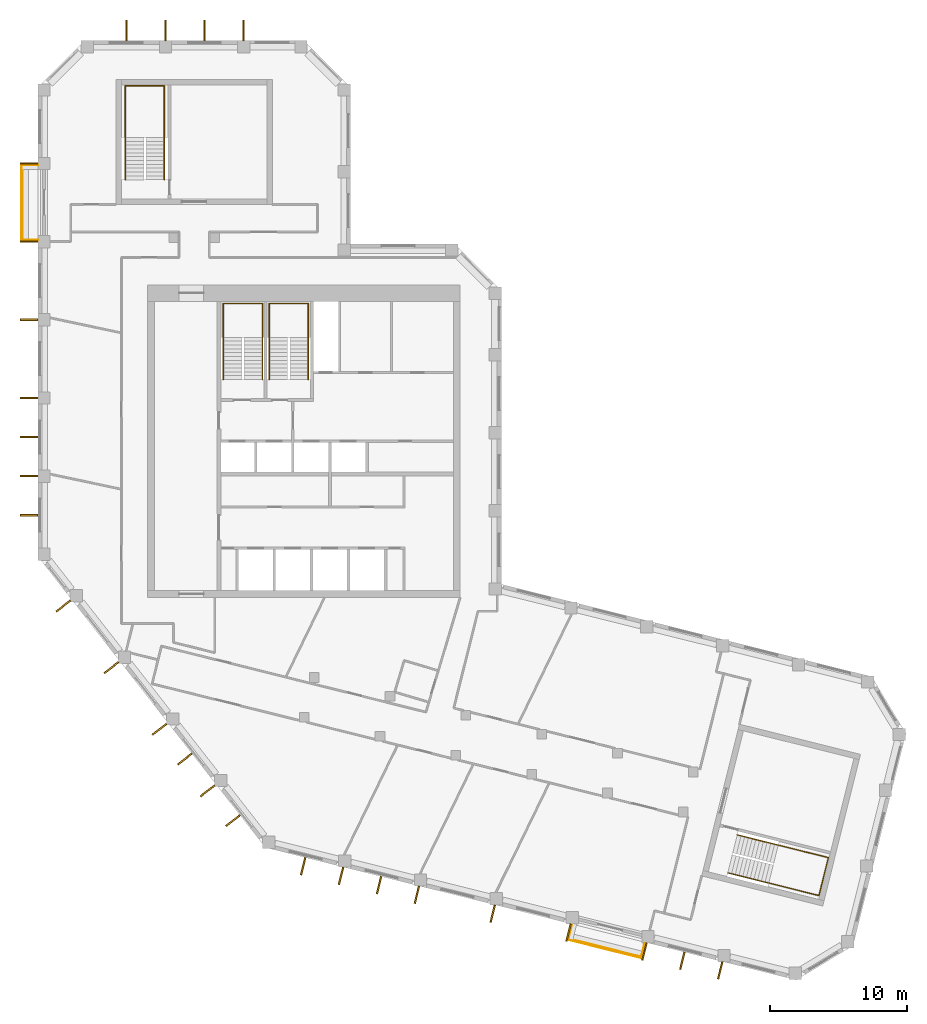
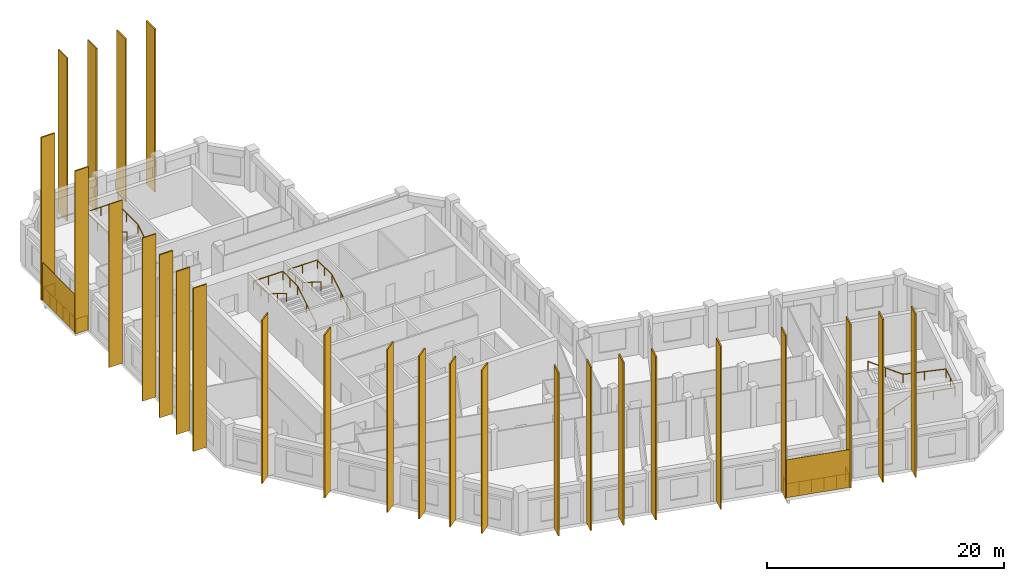
# One storey, part 8 of 8: 28 shading devices, 6 railings.
"""IFC4 building model written with IfcOpenShell, lengths in metres."""

from ifc_helpers import new_model, si_unit, direction, frame, origin, origin_2d, place, context, subcontext, project, spatial, rectangle, circle, extrude, material, layer, layer_set, type_object, element, save


model = new_model("IFC4")

# Units and contexts
model_context = context("Model", 3, precision=1e-05, world=origin(), true_north=direction((0.0, 1.0)))
body_context = subcontext(model_context, "Body", "Model", "MODEL_VIEW")
ifc_project = project(units=[si_unit("LENGTHUNIT", "METRE"), si_unit("AREAUNIT", "SQUARE_METRE"), si_unit("VOLUMEUNIT", "CUBIC_METRE"), si_unit("PLANEANGLEUNIT", "RADIAN"), si_unit("MASSUNIT", "GRAM", prefix="KILO")], contexts=[model_context])

# Site, building, storey
site_placement = place(None, origin())
site = spatial("IfcSite", under=ifc_project, at=site_placement, CompositionType="ELEMENT")
building_placement = place(site_placement, origin())
building = spatial("IfcBuilding", under=site, at=building_placement, Name="Meshkara Civic Tower", CompositionType="ELEMENT")
storey_placement = place(building_placement, frame((0.0, 0.0, 370.800048828125)))
storey = spatial("IfcBuildingStorey", under=building, at=storey_placement, Name="L85", CompositionType="ELEMENT", Elevation=370.800048828125)

# Railings
ifc_material_1 = material(Name="Steel S355", Category="steel")
railing_type_1 = type_object("IfcRailingType", Name="BALUSTRADE GUARD 1400", PredefinedType="BALUSTRADE", material=ifc_material_1)
railing_1_placement = place(storey_placement, frame((0.0, 45.635009765625, 0.0)))
element("IfcRailing", 1, at=railing_1_placement, inside=storey, type_object=railing_type_1, Name="Balcony guard", PredefinedType="BALUSTRADE", context=body_context, shape_type="SweptSolid", body=[
    extrude(circle(Radius=0.02392578125, at=origin_2d()), frame((0.0, 0.0, 1.3759765625), z_axis=(-1.0, 0.0, 0.0), x_axis=(0.0, -1.0, 0.0)), (0.0, 0.0, 1.0), 1.110107421875),
    extrude(circle(Radius=0.02392578125, at=origin_2d()), frame((-1.110107421875, 0.0, 1.3759765625), z_axis=(0.0, -1.0, 0.0), x_axis=(1.0, 0.0, 0.0)), (0.0, 0.0, 1.0), 5.4599609375),
    extrude(circle(Radius=0.02392578125, at=origin_2d()), frame((-1.110107421875, -5.4599609375, 1.3759765625), z_axis=(1.0, 0.0, 0.0), x_axis=(0.0, 1.0, 0.0)), (0.0, 0.0, 1.0), 1.110107421875),
    extrude(circle(Radius=0.02099609375, at=origin_2d()), origin(), (0.0, 0.0, 1.0), 1.351806640625),
    extrude(circle(Radius=0.02099609375, at=origin_2d()), frame((-1.110107421875, 0.0, 0.0)), (0.0, 0.0, 1.0), 1.351806640625),
    extrude(circle(Radius=0.02099609375, at=origin_2d()), frame((-1.110107421875, -1.092041015625, 0.0)), (0.0, 0.0, 1.0), 1.351806640625),
    extrude(circle(Radius=0.02099609375, at=origin_2d()), frame((-1.110107421875, -2.18408203125, 0.0)), (0.0, 0.0, 1.0), 1.351806640625),
    extrude(circle(Radius=0.02099609375, at=origin_2d()), frame((-1.110107421875, -3.27587890625, 0.0)), (0.0, 0.0, 1.0), 1.351806640625),
    extrude(circle(Radius=0.02099609375, at=origin_2d()), frame((-1.110107421875, -4.367919921875, 0.0)), (0.0, 0.0, 1.0), 1.351806640625),
    extrude(circle(Radius=0.02099609375, at=origin_2d()), frame((-1.110107421875, -5.4599609375, 0.0)), (0.0, 0.0, 1.0), 1.351806640625),
    extrude(circle(Radius=0.02099609375, at=origin_2d()), frame((0.0, -5.4599609375, 0.0)), (0.0, 0.0, 1.0), 1.351806640625),
])
railing_2_placement = place(storey_placement, frame((38.958984375, -9.81201171875, 0.0)))
element("IfcRailing", 2, at=railing_2_placement, inside=storey, type_object=railing_type_1, Name="Balcony guard", PredefinedType="BALUSTRADE", context=body_context, shape_type="SweptSolid", body=[
    extrude(circle(Radius=0.02392578125, at=origin_2d()), frame((0.0, 0.0, 1.3759765625), z_axis=(-0.242365897307, -0.970184916303, 0.0), x_axis=(0.970184916303, -0.242365897307, 0.0)), (0.0, 0.0, 1.0), 1.015380859375),
    extrude(circle(Radius=0.02392578125, at=origin_2d()), frame((-0.24609375, -0.985107421875, 1.3759765625), z_axis=(0.970334237753, -0.241767382094, 0.0), x_axis=(0.241767382094, 0.970334237753, 0.0)), (0.0, 0.0, 1.0), 5.458984375),
    extrude(circle(Radius=0.02392578125, at=origin_2d()), frame((5.051025390625, -2.304931640625, 1.3759765625), z_axis=(0.242648904851, 0.970114173164, 0.0), x_axis=(-0.970114173164, 0.242648904851, 0.0)), (0.0, 0.0, 1.0), 1.01416015625),
    extrude(circle(Radius=0.02099609375, at=origin_2d()), origin(), (0.0, 0.0, 1.0), 1.351806640625),
    extrude(circle(Radius=0.02099609375, at=origin_2d()), frame((-0.24609375, -0.985107421875, 0.0)), (0.0, 0.0, 1.0), 1.351806640625),
    extrude(circle(Radius=0.02099609375, at=origin_2d()), frame((0.813232421875, -1.2490234375, 0.0)), (0.0, 0.0, 1.0), 1.351806640625),
    extrude(circle(Radius=0.02099609375, at=origin_2d()), frame((1.872802734375, -1.512939453125, 0.0)), (0.0, 0.0, 1.0), 1.351806640625),
    extrude(circle(Radius=0.02099609375, at=origin_2d()), frame((2.93212890625, -1.777099609375, 0.0)), (0.0, 0.0, 1.0), 1.351806640625),
    extrude(circle(Radius=0.02099609375, at=origin_2d()), frame((3.99169921875, -2.041015625, 0.0)), (0.0, 0.0, 1.0), 1.351806640625),
    extrude(circle(Radius=0.02099609375, at=origin_2d()), frame((5.051025390625, -2.304931640625, 0.0)), (0.0, 0.0, 1.0), 1.351806640625),
    extrude(circle(Radius=0.02099609375, at=origin_2d()), frame((5.297119140625, -1.321044921875, 0.0)), (0.0, 0.0, 1.0), 1.351806640625),
])

# Shading devices
ifc_material_2 = material(Name="Bronze anodised aluminium", Category="aluminium")
ifc_layer_1 = layer(ifc_material_2, 0.1201171875)
ifc_layer_set_1 = layer_set([ifc_layer_1], Name="BRONZE FIN 1300")
shading_device_type_1 = type_object("IfcShadingDeviceType", Name="BRONZE FIN 1300", PredefinedType="USERDEFINED", material=ifc_layer_set_1)
for number, where, z_axis, x_axis, name in (
    (3, (-0.64990234375, 45.7548828125, 0.0), (0.0, 0.0, 1.0), (0.0, -1.0, 0.0), "Fin"),
    (4, (-0.64990234375, 40.054931640625, 0.0), (0.0, 0.0, 1.0), (0.0, -1.0, 0.0), "Fin"),
    (5, (-0.64990234375, 34.35498046875, 0.0), (0.0, 0.0, 1.0), (0.0, -1.0, 0.0), "Fin"),
    (6, (-0.64990234375, 28.655029296875, 0.0), (0.0, 0.0, 1.0), (0.0, -1.0, 0.0), "Fin"),
    (7, (-0.64990234375, 25.804931640625, 0.0), (0.0, 0.0, 1.0), (0.0, -1.0, 0.0), "Fin"),
    (8, (-0.64990234375, 22.955078125, 0.0), (0.0, 0.0, 1.0), (0.0, -1.0, 0.0), "Fin"),
    (9, (-0.64990234375, 20.10498046875, 0.0), (0.0, 0.0, 1.0), (0.0, -1.0, 0.0), "Fin"),
    (10, (1.85205078125, 13.47705078125, 0.0), (0.0, 0.0, 1.0), (0.615661475326, -0.788010753607, 0.0), "Fin"),
    (11, (5.361083984375, 8.985107421875, 0.0), (0.0, 0.0, 1.0), (0.615661475326, -0.788010753607, 0.0), "Fin"),
    (12, (8.87109375, 4.492919921875, 0.0), (0.0, 0.0, 1.0), (0.615661475326, -0.788010753607, 0.0), "Fin"),
    (13, (10.720947265625, 2.322021484375, 0.0), (0.0, 0.0, 1.0), (0.615661475326, -0.788010753607, 0.0), "Fin"),
    (14, (12.3798828125, 0.001953125, 0.0), (0.0, 0.0, 1.0), (0.615661475326, -0.788010753607, 0.0), "Fin"),
    (15, (14.22998046875, -2.1689453125, 0.0), (0.0, 0.0, 1.0), (0.615661475326, -0.788010753607, 0.0), "Fin"),
    (16, (19.35009765625, -5.4951171875, 0.0), (0.0, 0.0, 1.0), (0.970295726276, -0.2419218956, 0.0), "Fin"),
    (17, (22.113037109375, -6.197998046875, 0.0), (0.0, 0.0, 1.0), (0.970295726276, -0.2419218956, 0.0), "Fin"),
    (18, (24.881103515625, -6.8740234375, 0.0), (0.0, 0.0, 1.0), (0.970295726276, -0.2419218956, 0.0), "Fin"),
    (19, (27.64306640625, -7.576904296875, 0.0), (0.0, 0.0, 1.0), (0.970295726276, -0.2419218956, 0.0), "Fin"),
    (20, (33.174072265625, -8.9560546875, 0.0), (0.0, 0.0, 1.0), (0.970295726276, -0.2419218956, 0.0), "Fin"),
    (21, (38.705078125, -10.3349609375, 0.0), (0.0, 0.0, 1.0), (0.970295726276, -0.2419218956, 0.0), "Fin"),
    (22, (44.235107421875, -11.714111328125, 0.0), (0.0, 0.0, 1.0), (0.970295726276, -0.2419218956, 0.0), "Fin"),
    (23, (47.0029296875, -12.389892578125, 0.0), (0.0, 0.0, 1.0), (0.970295726276, -0.2419218956, 0.0), "Fin"),
    (24, (49.76611328125, -13.093017578125, 0.0), (0.0, 0.0, 1.0), (0.970295726276, -0.2419218956, 0.0), "Fin"),
):
    element("IfcShadingDevice", number, at=place(storey_placement, frame(where, z_axis=z_axis, x_axis=x_axis)), inside=storey, type_object=shading_device_type_1, Name=name, ObjectType="FIN", PredefinedType="USERDEFINED", context=body_context, shape_type="SweptSolid", body=[
        extrude(rectangle(XDim=0.1201171875, YDim=1.300048828125, at=origin_2d()), origin(), (0.0, 0.0, 1.0), 16.800048828125),
    ])
ifc_material_3 = material(Name="Bronze anodised aluminium", Category="aluminium")
ifc_layer_2 = layer(ifc_material_3, 0.1201171875)
ifc_layer_set_2 = layer_set([ifc_layer_2], Name="BRONZE FIN 1500")
shading_device_type_2 = type_object("IfcShadingDeviceType", Name="BRONZE FIN 1500", PredefinedType="USERDEFINED", material=ifc_layer_set_2)
for number, where, z_axis, x_axis, name in (
    (25, (15.006103515625, 55.469970703125, 0.0), (0.0, 0.0, 1.0), (-1.0, 0.0, 0.0), "Fin"),
    (26, (12.156005859375, 55.469970703125, 0.0), (0.0, 0.0, 1.0), (-1.0, 0.0, 0.0), "Fin"),
    (27, (9.305908203125, 55.469970703125, 0.0), (0.0, 0.0, 1.0), (-1.0, 0.0, 0.0), "Fin"),
    (28, (6.4560546875, 55.469970703125, 0.0), (0.0, 0.0, 1.0), (-1.0, 0.0, 0.0), "Fin"),
):
    element("IfcShadingDevice", number, at=place(storey_placement, frame(where, z_axis=z_axis, x_axis=x_axis)), inside=storey, type_object=shading_device_type_2, Name=name, ObjectType="FIN", PredefinedType="USERDEFINED", context=body_context, shape_type="SweptSolid", body=[
        extrude(rectangle(XDim=0.1201171875, YDim=1.5, at=origin_2d()), origin(), (0.0, 0.0, 1.0), 16.800048828125),
    ])
ifc_material_4 = material(Name="Perforated bronze anodised aluminium sheet", Category="aluminium")
ifc_layer_3 = layer(ifc_material_4, 0.0400390625)
ifc_layer_set_3 = layer_set([ifc_layer_3], Name="PERFORATED BRONZE SCREEN")
shading_device_type_3 = type_object("IfcShadingDeviceType", Name="PERFORATED BRONZE SCREEN", PredefinedType="USERDEFINED", material=ifc_layer_set_3)
shading_device_1_placement = place(storey_placement, frame((-1.179931640625, 42.905029296875, 0.0), z_axis=(0.0, 0.0, 1.0), x_axis=(0.0, -1.0, 0.0)))
element("IfcShadingDevice", 29, at=shading_device_1_placement, inside=storey, type_object=shading_device_type_3, Name="Balcony screen", ObjectType="SCREEN", PredefinedType="USERDEFINED", context=body_context, shape_type="SweptSolid", body=[
    extrude(rectangle(XDim=5.580078125, YDim=0.0400390625, at=origin_2d()), origin(), (0.0, 0.0, 1.0), 3.89990234375),
])
shading_device_2_placement = place(storey_placement, frame((41.344970703125, -11.52490234375, 0.0), z_axis=(0.0, 0.0, 1.0), x_axis=(0.970295726276, -0.2419218956, 0.0)))
element("IfcShadingDevice", 30, at=shading_device_2_placement, inside=storey, type_object=shading_device_type_3, Name="Balcony screen", ObjectType="SCREEN", PredefinedType="USERDEFINED", context=body_context, shape_type="SweptSolid", body=[
    extrude(rectangle(XDim=5.5791015625, YDim=0.0400390625, at=origin_2d()), origin(), (0.0, 0.0, 1.0), 3.89990234375),
])

# Railings
ifc_material_5 = material(Name="Steel handrail", Category="steel")
railing_type_2 = type_object("IfcRailingType", Name="Stair handrail 900", PredefinedType="HANDRAIL", material=ifc_material_5)
railing_3_placement = place(storey_placement, frame((16.375, 30.0, 0.175048828125)))
element("IfcRailing", 31, at=railing_3_placement, inside=storey, type_object=railing_type_2, Name="L85 ST1 stair handrail 1", PredefinedType="HANDRAIL", context=body_context, shape_type="SweptSolid", body=[
    extrude(circle(Radius=0.02392578125, at=origin_2d()), frame((0.0, 0.0, 0.8759765625), z_axis=(0.0, 0.848028513186, 0.529950602248), x_axis=(-1.0, 0.0, 0.0)), (0.0, 0.0, 1.0), 3.632080078125),
    extrude(circle(Radius=0.02392578125, at=origin_2d()), frame((0.0, 3.080078125, 2.80078125), z_axis=(0.0, 1.0, 0.0), x_axis=(-1.0, 0.0, 0.0)), (0.0, 0.0, 1.0), 2.469970703125),
    extrude(circle(Radius=0.02392578125, at=origin_2d()), frame((0.0, 5.550048828125, 2.80078125), z_axis=(-1.0, 0.0, 0.0), x_axis=(0.0, -1.0, 0.0)), (0.0, 0.0, 1.0), 2.85009765625),
    extrude(circle(Radius=0.02392578125, at=origin_2d()), frame((-2.85009765625, 5.550048828125, 2.80078125), z_axis=(0.0, -0.997498084828, 0.070693498747), x_axis=(1.0, 0.0, 0.0)), (0.0, 0.0, 1.0), 2.47607421875),
    extrude(circle(Radius=0.02392578125, at=origin_2d()), frame((-2.85009765625, 3.080078125, 2.9755859375), z_axis=(0.0, -0.847998304005, 0.529998940003), x_axis=(1.0, 0.0, 0.0)), (0.0, 0.0, 1.0), 3.632080078125),
    extrude(circle(Radius=0.02099609375, at=origin_2d()), origin(), (0.0, 0.0, 1.0), 0.851806640625),
    extrude(circle(Radius=0.02099609375, at=origin_2d()), frame((0.0, 1.5400390625, 0.96240234375)), (0.0, 0.0, 1.0), 0.851806640625),
    extrude(circle(Radius=0.02099609375, at=origin_2d()), frame((0.0, 3.080078125, 1.9248046875)), (0.0, 0.0, 1.0), 0.851806640625),
    extrude(circle(Radius=0.02099609375, at=origin_2d()), frame((0.0, 4.31494140625, 1.9248046875)), (0.0, 0.0, 1.0), 0.851806640625),
    extrude(circle(Radius=0.02099609375, at=origin_2d()), frame((0.0, 5.550048828125, 1.9248046875)), (0.0, 0.0, 1.0), 0.851806640625),
    extrude(circle(Radius=0.02099609375, at=origin_2d()), frame((-1.425048828125, 5.550048828125, 1.9248046875)), (0.0, 0.0, 1.0), 0.851806640625),
    extrude(circle(Radius=0.02099609375, at=origin_2d()), frame((-2.85009765625, 5.550048828125, 1.9248046875)), (0.0, 0.0, 1.0), 0.851806640625),
    extrude(circle(Radius=0.02099609375, at=origin_2d()), frame((-2.85009765625, 4.31494140625, 2.01220703125)), (0.0, 0.0, 1.0), 0.851806640625),
    extrude(circle(Radius=0.02099609375, at=origin_2d()), frame((-2.85009765625, 3.080078125, 2.099853515625)), (0.0, 0.0, 1.0), 0.851806640625),
    extrude(circle(Radius=0.02099609375, at=origin_2d()), frame((-2.85009765625, 1.5400390625, 3.0625)), (0.0, 0.0, 1.0), 0.851806640625),
    extrude(circle(Radius=0.02099609375, at=origin_2d()), frame((-2.85009765625, 0.0, 4.02490234375)), (0.0, 0.0, 1.0), 0.851806640625),
])
railing_4_placement = place(storey_placement, frame((19.72509765625, 30.0, 0.175048828125)))
element("IfcRailing", 32, at=railing_4_placement, inside=storey, type_object=railing_type_2, Name="L85 ST2 stair handrail 1", PredefinedType="HANDRAIL", context=body_context, shape_type="SweptSolid", body=[
    extrude(circle(Radius=0.02392578125, at=origin_2d()), frame((0.0, 0.0, 0.8759765625), z_axis=(0.0, 0.848028513186, 0.529950602248), x_axis=(-1.0, 0.0, 0.0)), (0.0, 0.0, 1.0), 3.632080078125),
    extrude(circle(Radius=0.02392578125, at=origin_2d()), frame((0.0, 3.080078125, 2.80078125), z_axis=(0.0, 1.0, 0.0), x_axis=(-1.0, 0.0, 0.0)), (0.0, 0.0, 1.0), 2.469970703125),
    extrude(circle(Radius=0.02392578125, at=origin_2d()), frame((0.0, 5.550048828125, 2.80078125), z_axis=(-1.0, 0.0, 0.0), x_axis=(0.0, -1.0, 0.0)), (0.0, 0.0, 1.0), 2.85009765625),
    extrude(circle(Radius=0.02392578125, at=origin_2d()), frame((-2.85009765625, 5.550048828125, 2.80078125), z_axis=(0.0, -0.997498084828, 0.070693498747), x_axis=(1.0, 0.0, 0.0)), (0.0, 0.0, 1.0), 2.47607421875),
    extrude(circle(Radius=0.02392578125, at=origin_2d()), frame((-2.85009765625, 3.080078125, 2.9755859375), z_axis=(0.0, -0.847998304005, 0.529998940003), x_axis=(1.0, 0.0, 0.0)), (0.0, 0.0, 1.0), 3.632080078125),
    extrude(circle(Radius=0.02099609375, at=origin_2d()), origin(), (0.0, 0.0, 1.0), 0.851806640625),
    extrude(circle(Radius=0.02099609375, at=origin_2d()), frame((0.0, 1.5400390625, 0.96240234375)), (0.0, 0.0, 1.0), 0.851806640625),
    extrude(circle(Radius=0.02099609375, at=origin_2d()), frame((0.0, 3.080078125, 1.9248046875)), (0.0, 0.0, 1.0), 0.851806640625),
    extrude(circle(Radius=0.02099609375, at=origin_2d()), frame((0.0, 4.31494140625, 1.9248046875)), (0.0, 0.0, 1.0), 0.851806640625),
    extrude(circle(Radius=0.02099609375, at=origin_2d()), frame((0.0, 5.550048828125, 1.9248046875)), (0.0, 0.0, 1.0), 0.851806640625),
    extrude(circle(Radius=0.02099609375, at=origin_2d()), frame((-1.425048828125, 5.550048828125, 1.9248046875)), (0.0, 0.0, 1.0), 0.851806640625),
    extrude(circle(Radius=0.02099609375, at=origin_2d()), frame((-2.85009765625, 5.550048828125, 1.9248046875)), (0.0, 0.0, 1.0), 0.851806640625),
    extrude(circle(Radius=0.02099609375, at=origin_2d()), frame((-2.85009765625, 4.31494140625, 2.01220703125)), (0.0, 0.0, 1.0), 0.851806640625),
    extrude(circle(Radius=0.02099609375, at=origin_2d()), frame((-2.85009765625, 3.080078125, 2.099853515625)), (0.0, 0.0, 1.0), 0.851806640625),
    extrude(circle(Radius=0.02099609375, at=origin_2d()), frame((-2.85009765625, 1.5400390625, 3.0625)), (0.0, 0.0, 1.0), 0.851806640625),
    extrude(circle(Radius=0.02099609375, at=origin_2d()), frame((-2.85009765625, 0.0, 4.02490234375)), (0.0, 0.0, 1.0), 0.851806640625),
])
railing_5_placement = place(storey_placement, frame((9.22509765625, 44.570068359375, 0.175048828125)))
element("IfcRailing", 33, at=railing_5_placement, inside=storey, type_object=railing_type_2, Name="L85 ESA6 stair handrail 1", PredefinedType="HANDRAIL", context=body_context, shape_type="SweptSolid", body=[
    extrude(circle(Radius=0.02392578125, at=origin_2d()), frame((0.0, 0.0, 0.8759765625), z_axis=(0.0, 0.848009633417, 0.529980812513), x_axis=(-1.0, 0.0, 0.0)), (0.0, 0.0, 1.0), 3.6318359375),
    extrude(circle(Radius=0.02392578125, at=origin_2d()), frame((0.0, 3.079833984375, 2.80078125), z_axis=(0.0, 1.0, 0.0), x_axis=(-1.0, 0.0, 0.0)), (0.0, 0.0, 1.0), 3.77001953125),
    extrude(circle(Radius=0.02392578125, at=origin_2d()), frame((0.0, 6.849853515625, 2.80078125), z_axis=(-1.0, 0.0, 0.0), x_axis=(0.0, -1.0, 0.0)), (0.0, 0.0, 1.0), 2.85009765625),
    extrude(circle(Radius=0.02392578125, at=origin_2d()), frame((-2.85009765625, 6.849853515625, 2.80078125), z_axis=(0.0, -0.9989237834, 0.046381838667), x_axis=(1.0, 0.0, 0.0)), (0.0, 0.0, 1.0), 3.774169921875),
    extrude(circle(Radius=0.02392578125, at=origin_2d()), frame((-2.85009765625, 3.079833984375, 2.9755859375), z_axis=(0.0, -0.847979421464, 0.530029150871), x_axis=(1.0, 0.0, 0.0)), (0.0, 0.0, 1.0), 3.632080078125),
    extrude(circle(Radius=0.02099609375, at=origin_2d()), origin(), (0.0, 0.0, 1.0), 0.851806640625),
    extrude(circle(Radius=0.02099609375, at=origin_2d()), frame((0.0, 1.5400390625, 0.96240234375)), (0.0, 0.0, 1.0), 0.851806640625),
    extrude(circle(Radius=0.02099609375, at=origin_2d()), frame((0.0, 3.079833984375, 1.9248046875)), (0.0, 0.0, 1.0), 0.851806640625),
    extrude(circle(Radius=0.02099609375, at=origin_2d()), frame((0.0, 4.96484375, 1.9248046875)), (0.0, 0.0, 1.0), 0.851806640625),
    extrude(circle(Radius=0.02099609375, at=origin_2d()), frame((0.0, 6.849853515625, 1.9248046875)), (0.0, 0.0, 1.0), 0.851806640625),
    extrude(circle(Radius=0.02099609375, at=origin_2d()), frame((-1.425048828125, 6.849853515625, 1.9248046875)), (0.0, 0.0, 1.0), 0.851806640625),
    extrude(circle(Radius=0.02099609375, at=origin_2d()), frame((-2.85009765625, 6.849853515625, 1.9248046875)), (0.0, 0.0, 1.0), 0.851806640625),
    extrude(circle(Radius=0.02099609375, at=origin_2d()), frame((-2.85009765625, 4.96484375, 2.01220703125)), (0.0, 0.0, 1.0), 0.851806640625),
    extrude(circle(Radius=0.02099609375, at=origin_2d()), frame((-2.85009765625, 3.079833984375, 2.099853515625)), (0.0, 0.0, 1.0), 0.851806640625),
    extrude(circle(Radius=0.02099609375, at=origin_2d()), frame((-2.85009765625, 1.5400390625, 3.0625)), (0.0, 0.0, 1.0), 0.851806640625),
    extrude(circle(Radius=0.02099609375, at=origin_2d()), frame((-2.85009765625, 0.0, 4.02490234375)), (0.0, 0.0, 1.0), 0.851806640625),
])
railing_6_placement = place(storey_placement, frame((50.31884765625, -5.975341796875, 0.175048828125)))
element("IfcRailing", 34, at=railing_6_placement, inside=storey, type_object=railing_type_2, Name="L85 ESB6 stair handrail 1", PredefinedType="HANDRAIL", context=body_context, shape_type="SweptSolid", body=[
    extrude(circle(Radius=0.02392578125, at=origin_2d()), frame((0.0, 0.0, 0.8759765625), z_axis=(0.822845324611, -0.205089542144, 0.529965896515), x_axis=(0.241845469214, 0.970314778317, 0.0)), (0.0, 0.0, 1.0), 3.6318359375),
    extrude(circle(Radius=0.02392578125, at=origin_2d()), frame((2.988525390625, -0.744873046875, 2.80078125), z_axis=(0.970325068916, -0.241804178279, 0.0), x_axis=(0.241804178279, 0.970325068916, 0.0)), (0.0, 0.0, 1.0), 3.77001953125),
    extrude(circle(Radius=0.02392578125, at=origin_2d()), frame((6.646728515625, -1.656494140625, 2.80078125), z_axis=(0.24183009087, 0.970318611153, 0.0), x_axis=(-0.970318611153, 0.24183009087, 0.0)), (0.0, 0.0, 1.0), 2.849853515625),
    extrude(circle(Radius=0.02392578125, at=origin_2d()), frame((7.3359375, 1.10888671875, 2.80078125), z_axis=(-0.969265675791, 0.241604865128, 0.046380371699), x_axis=(-0.241865147941, -0.970309873294, 0.0)), (0.0, 0.0, 1.0), 3.774169921875),
    extrude(circle(Radius=0.02392578125, at=origin_2d()), frame((3.677734375, 2.020751953125, 2.9755859375), z_axis=(-0.822827351915, 0.205017843586, 0.530021539894), x_axis=(-0.241770835762, -0.970333377234, 0.0)), (0.0, 0.0, 1.0), 3.632080078125),
    extrude(circle(Radius=0.02099609375, at=origin_2d()), origin(), (0.0, 0.0, 1.0), 0.851806640625),
    extrude(circle(Radius=0.02099609375, at=origin_2d()), frame((1.494140625, -0.37255859375, 0.96240234375)), (0.0, 0.0, 1.0), 0.851806640625),
    extrude(circle(Radius=0.02099609375, at=origin_2d()), frame((2.988525390625, -0.744873046875, 1.9248046875)), (0.0, 0.0, 1.0), 0.851806640625),
    extrude(circle(Radius=0.02099609375, at=origin_2d()), frame((4.817626953125, -1.20068359375, 1.9248046875)), (0.0, 0.0, 1.0), 0.851806640625),
    extrude(circle(Radius=0.02099609375, at=origin_2d()), frame((6.646728515625, -1.656494140625, 1.9248046875)), (0.0, 0.0, 1.0), 0.851806640625),
    extrude(circle(Radius=0.02099609375, at=origin_2d()), frame((6.9912109375, -0.27392578125, 1.9248046875)), (0.0, 0.0, 1.0), 0.851806640625),
    extrude(circle(Radius=0.02099609375, at=origin_2d()), frame((7.3359375, 1.10888671875, 1.9248046875)), (0.0, 0.0, 1.0), 0.851806640625),
    extrude(circle(Radius=0.02099609375, at=origin_2d()), frame((5.5068359375, 1.56494140625, 2.01220703125)), (0.0, 0.0, 1.0), 0.851806640625),
    extrude(circle(Radius=0.02099609375, at=origin_2d()), frame((3.677734375, 2.020751953125, 2.099853515625)), (0.0, 0.0, 1.0), 0.851806640625),
    extrude(circle(Radius=0.02099609375, at=origin_2d()), frame((2.18359375, 2.39306640625, 3.0625)), (0.0, 0.0, 1.0), 0.851806640625),
    extrude(circle(Radius=0.02099609375, at=origin_2d()), frame((0.689208984375, 2.765380859375, 4.02490234375)), (0.0, 0.0, 1.0), 0.851806640625),
])

save(model, "model.ifc")
